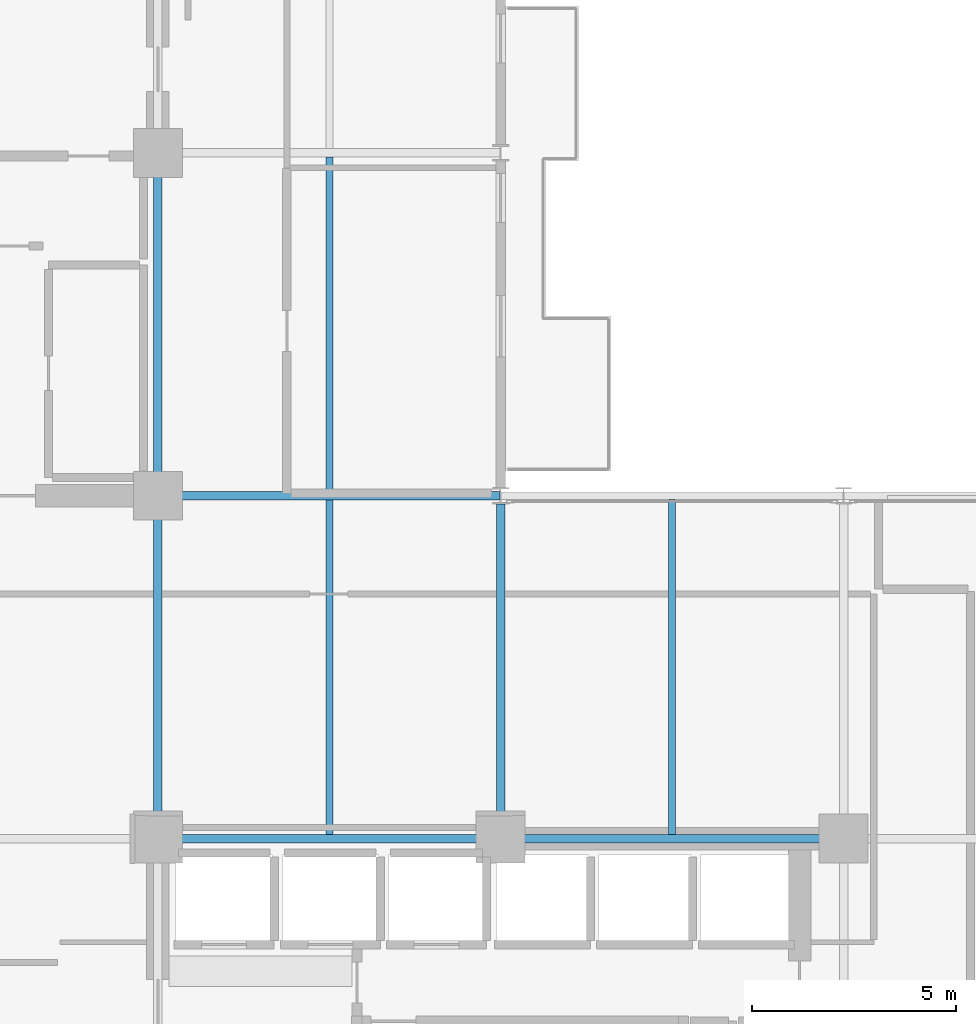
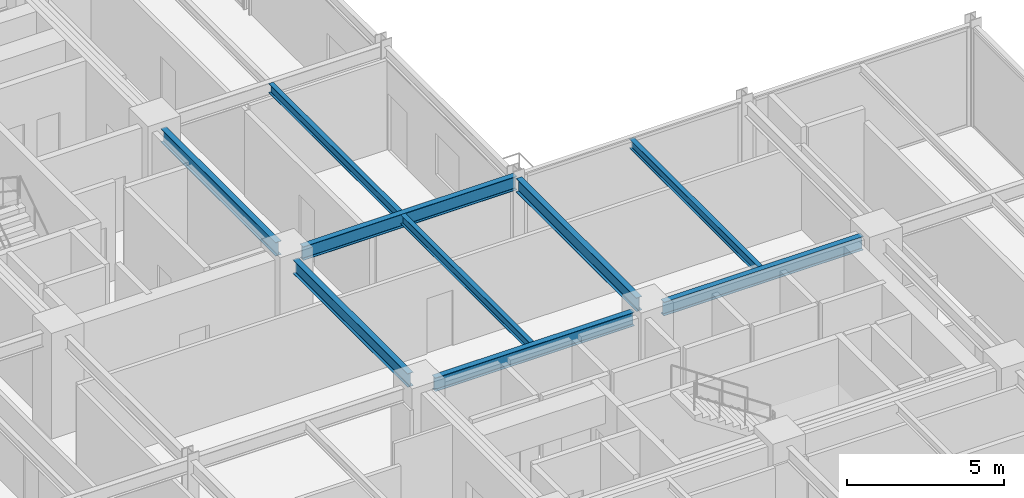
# One storey, part 11 of 29: 9 beams.
"""IFC4 building model written with IfcOpenShell, lengths in metres."""

from ifc_helpers import new_model, si_unit, direction, frame, origin, origin_2d, place, context, subcontext, project, spatial, i_section, extrude, material, material_profile, profile_set, type_object, element, save


model = new_model("IFC4")

# Units and contexts
model_context = context("Model", 3, precision=1e-05, world=origin(), true_north=direction((0.0, 1.0)))
body_context = subcontext(model_context, "Body", "Model", "MODEL_VIEW")
ifc_project = project(units=[si_unit("LENGTHUNIT", "METRE"), si_unit("AREAUNIT", "SQUARE_METRE"), si_unit("VOLUMEUNIT", "CUBIC_METRE"), si_unit("PLANEANGLEUNIT", "RADIAN"), si_unit("MASSUNIT", "GRAM", prefix="KILO")], contexts=[model_context])

# Site, building, storey
site_placement = place(None, origin())
site = spatial("IfcSite", under=ifc_project, at=site_placement, CompositionType="ELEMENT")
building_placement = place(site_placement, origin())
building = spatial("IfcBuilding", under=site, at=building_placement, Name="Nerrivon Quay Data Exchange", CompositionType="ELEMENT")
storey_placement = place(building_placement, frame((0.0, 0.0, 137.699951171875)))
storey = spatial("IfcBuildingStorey", under=building, at=storey_placement, Name="L32", CompositionType="ELEMENT", Elevation=137.699951171875)

# Beams
ifc_material = material(Name="Steel Grade 350", Category="steel")
ifc_material_profile_1 = material_profile(ifc_material, i_section(OverallWidth=0.208984375, OverallDepth=0.532958984375, WebThickness=0.01025390625, FlangeThickness=0.015625, FilletRadius=0.013916015625, at=origin_2d()), Name="530UB92.4")
ifc_profile_set_1 = profile_set([ifc_material_profile_1], Name="Steel Grade 350")
beam_type_1 = type_object("IfcBeamType", Name="BM-G3-530UB92", PredefinedType="BEAM", material=ifc_profile_set_1)
beam_1_placement = place(storey_placement, frame((17.340087890625, 16.800048828125, 3.55859375), z_axis=(1.0, 0.0, 0.0), x_axis=(0.0, 1.0, 0.0)))
element("IfcBeam", 1, at=beam_1_placement, inside=storey, type_object=beam_type_1, Name="L32 EW Girder Y=16.8 (16.8..25.2)", PredefinedType="BEAM", context=body_context, shape_type="SweptSolid", body=[
    extrude(i_section(OverallWidth=0.208984375, OverallDepth=0.532958984375, WebThickness=0.01025390625, FlangeThickness=0.015625, FilletRadius=0.013916015625, at=origin_2d()), origin(), (0.0, 0.0, 1.0), 7.31982421875),
])
beam_2_placement = place(storey_placement, frame((25.739990234375, 16.800048828125, 3.55859375), z_axis=(1.0, 0.0, 0.0), x_axis=(0.0, 1.0, 0.0)))
element("IfcBeam", 2, at=beam_2_placement, inside=storey, type_object=beam_type_1, Name="L32 EW Girder Y=16.8 (25.2..33.6)", PredefinedType="BEAM", context=body_context, shape_type="SweptSolid", body=[
    extrude(i_section(OverallWidth=0.208984375, OverallDepth=0.532958984375, WebThickness=0.01025390625, FlangeThickness=0.015625, FilletRadius=0.013916015625, at=origin_2d()), origin(), (0.0, 0.0, 1.0), 7.320068359375),
])
beam_3_placement = place(storey_placement, frame((17.340087890625, 25.199951171875, 3.55859375), z_axis=(1.0, 0.0, 0.0), x_axis=(0.0, 1.0, 0.0)))
element("IfcBeam", 3, at=beam_3_placement, inside=storey, type_object=beam_type_1, Name="L32 EW Girder Y=25.2 (16.8..25.2)", PredefinedType="BEAM", context=body_context, shape_type="SweptSolid", body=[
    extrude(i_section(OverallWidth=0.208984375, OverallDepth=0.532958984375, WebThickness=0.01025390625, FlangeThickness=0.015625, FilletRadius=0.013916015625, at=origin_2d()), origin(), (0.0, 0.0, 1.0), 7.847412109375),
])
ifc_material_profile_2 = material_profile(ifc_material, i_section(OverallWidth=0.208984375, OverallDepth=0.528076171875, WebThickness=0.009521484375, FlangeThickness=0.01318359375, FilletRadius=0.013916015625, at=origin_2d()), Name="530UB82.0")
ifc_profile_set_2 = profile_set([ifc_material_profile_2], Name="Steel Grade 350")
beam_type_2 = type_object("IfcBeamType", Name="BM-G4-530UB82", PredefinedType="BEAM", material=ifc_profile_set_2)
beam_4_placement = place(storey_placement, frame((16.800048828125, 17.340087890625, 3.56103515625), z_axis=(0.0, 1.0, 0.0), x_axis=(-1.0, 0.0, 0.0)))
element("IfcBeam", 4, at=beam_4_placement, inside=storey, type_object=beam_type_2, Name="L32 NS Girder X=16.8 (16.8..25.2)", PredefinedType="BEAM", context=body_context, shape_type="SweptSolid", body=[
    extrude(i_section(OverallWidth=0.208984375, OverallDepth=0.528076171875, WebThickness=0.009521484375, FlangeThickness=0.01318359375, FilletRadius=0.013916015625, at=origin_2d()), origin(), (0.0, 0.0, 1.0), 7.31982421875),
])
beam_5_placement = place(storey_placement, frame((16.800048828125, 25.739990234375, 3.56103515625), z_axis=(0.0, 1.0, 0.0), x_axis=(-1.0, 0.0, 0.0)))
element("IfcBeam", 5, at=beam_5_placement, inside=storey, type_object=beam_type_2, Name="L32 NS Girder X=16.8 (25.2..33.6)", PredefinedType="BEAM", context=body_context, shape_type="SweptSolid", body=[
    extrude(i_section(OverallWidth=0.208984375, OverallDepth=0.528076171875, WebThickness=0.009521484375, FlangeThickness=0.01318359375, FilletRadius=0.013916015625, at=origin_2d()), origin(), (0.0, 0.0, 1.0), 7.320068359375),
])
beam_6_placement = place(storey_placement, frame((25.199951171875, 17.340087890625, 3.56103515625), z_axis=(0.0, 1.0, 0.0), x_axis=(-1.0, 0.0, 0.0)))
element("IfcBeam", 6, at=beam_6_placement, inside=storey, type_object=beam_type_2, Name="L32 NS Girder X=25.2 (16.8..25.2)", PredefinedType="BEAM", context=body_context, shape_type="SweptSolid", body=[
    extrude(i_section(OverallWidth=0.208984375, OverallDepth=0.528076171875, WebThickness=0.009521484375, FlangeThickness=0.01318359375, FilletRadius=0.013916015625, at=origin_2d()), origin(), (0.0, 0.0, 1.0), 7.659912109375),
])
ifc_material_profile_3 = material_profile(ifc_material, i_section(OverallWidth=0.1708984375, OverallDepth=0.35595703125, WebThickness=0.00732421875, FlangeThickness=0.011474609375, FilletRadius=0.011474609375, at=origin_2d()), Name="360UB50.7")
ifc_profile_set_3 = profile_set([ifc_material_profile_3], Name="Steel Grade 350")
beam_type_3 = type_object("IfcBeamType", Name="BM-J4-360UB51", PredefinedType="JOIST", material=ifc_profile_set_3)
beam_7_placement = place(storey_placement, frame((21.0, 16.904541015625, 3.64697265625), z_axis=(0.0, 1.0, 0.0), x_axis=(-1.0, 0.0, 0.0)))
element("IfcBeam", 7, at=beam_7_placement, inside=storey, type_object=beam_type_3, Name="L32 Secondary Joist X=21.0 (16.8..25.2)", PredefinedType="JOIST", context=body_context, shape_type="SweptSolid", body=[
    extrude(i_section(OverallWidth=0.1708984375, OverallDepth=0.35595703125, WebThickness=0.00732421875, FlangeThickness=0.011474609375, FilletRadius=0.011474609375, at=origin_2d()), origin(), (0.0, 0.0, 1.0), 8.19091796875),
])
beam_8_placement = place(storey_placement, frame((21.0, 25.304443359375, 3.64697265625), z_axis=(0.0, 1.0, 0.0), x_axis=(-1.0, 0.0, 0.0)))
element("IfcBeam", 8, at=beam_8_placement, inside=storey, type_object=beam_type_3, Name="L32 Secondary Joist X=21.0 (25.2..33.6)", PredefinedType="JOIST", context=body_context, shape_type="SweptSolid", body=[
    extrude(i_section(OverallWidth=0.1708984375, OverallDepth=0.35595703125, WebThickness=0.00732421875, FlangeThickness=0.011474609375, FilletRadius=0.011474609375, at=origin_2d()), origin(), (0.0, 0.0, 1.0), 8.191162109375),
])
beam_9_placement = place(storey_placement, frame((29.39990234375, 16.904541015625, 3.64697265625), z_axis=(0.0, 1.0, 0.0), x_axis=(-1.0, 0.0, 0.0)))
element("IfcBeam", 9, at=beam_9_placement, inside=storey, type_object=beam_type_3, Name="L32 Secondary Joist X=29.4 (16.8..25.2)", PredefinedType="JOIST", context=body_context, shape_type="SweptSolid", body=[
    extrude(i_section(OverallWidth=0.1708984375, OverallDepth=0.35595703125, WebThickness=0.00732421875, FlangeThickness=0.011474609375, FilletRadius=0.011474609375, at=origin_2d()), origin(), (0.0, 0.0, 1.0), 8.20654296875),
])

save(model, "model.ifc")
